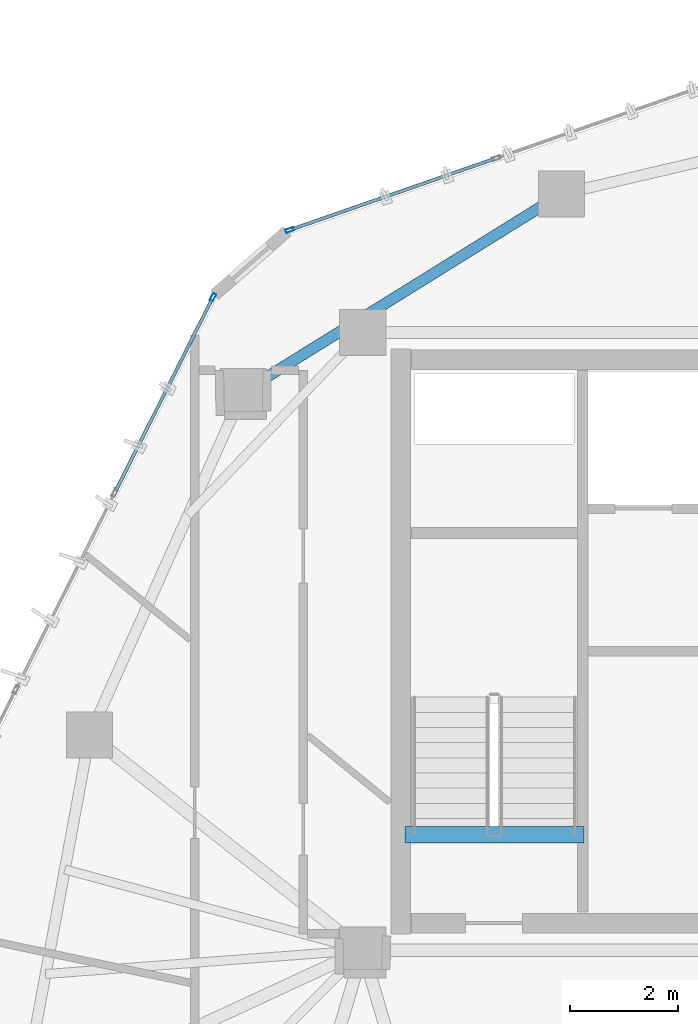
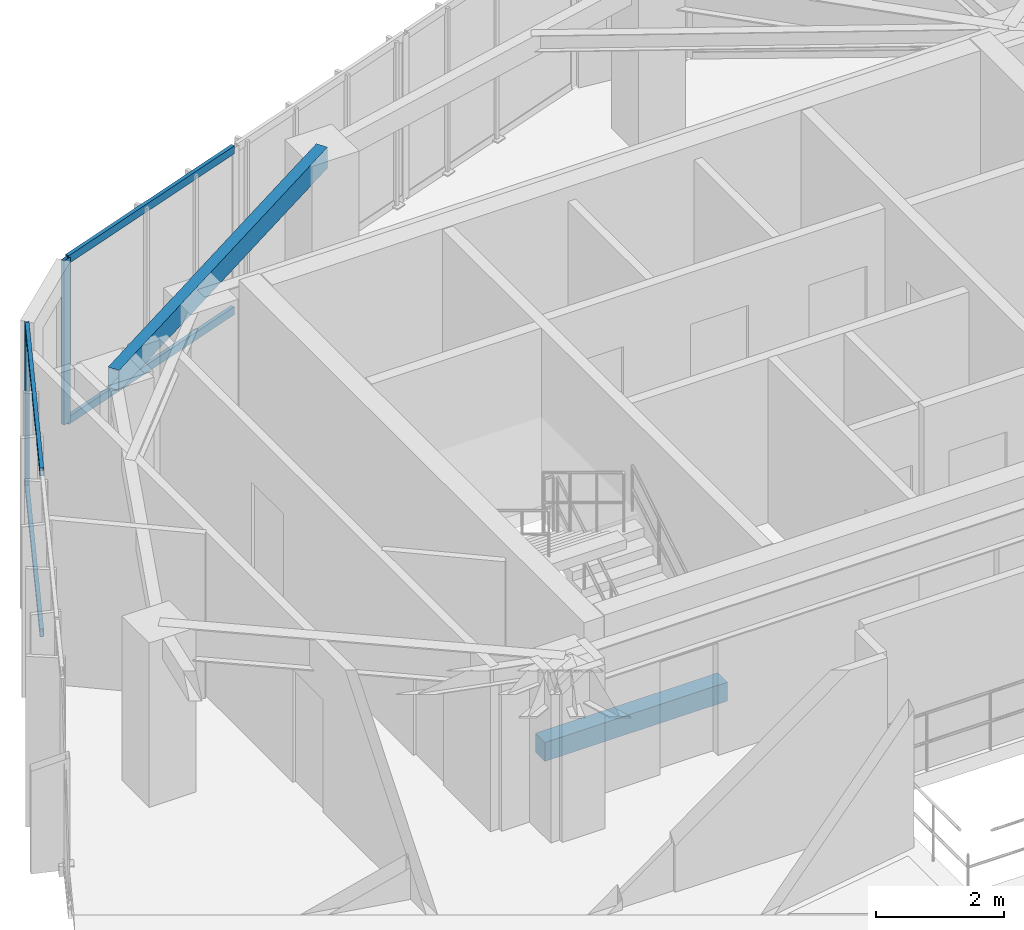
# One storey, part 9 of 20: 6 members, 2 beams, 2 elements without a shape of their own.
"""IFC4 building model written with IfcOpenShell, lengths in metres."""

from ifc_helpers import new_model, si_unit, direction, frame, origin, origin_2d, place, context, subcontext, project, spatial, rectangle, hollow_rectangle, extrude, source, transform, mapped, material, layer, layer_set, material_profile, profile_set, type_object, type_shapes, element, aggregate, save


model = new_model("IFC4")

# Units and contexts
model_context = context("Model", 3, precision=1e-05, world=origin(), true_north=direction((0.0, 1.0)))
body_context = subcontext(model_context, "Body", "Model", "MODEL_VIEW")
ifc_project = project(units=[si_unit("LENGTHUNIT", "METRE"), si_unit("AREAUNIT", "SQUARE_METRE"), si_unit("VOLUMEUNIT", "CUBIC_METRE"), si_unit("PLANEANGLEUNIT", "RADIAN"), si_unit("MASSUNIT", "GRAM", prefix="KILO")], contexts=[model_context])

# Site, building, storey
site_placement = place(None, origin())
site = spatial("IfcSite", under=ifc_project, at=site_placement, CompositionType="ELEMENT")
building_placement = place(site_placement, origin())
building = spatial("IfcBuilding", under=site, at=building_placement, Name="Talar Marvaseh", CompositionType="ELEMENT")
storey_placement = place(building_placement, frame((0.0, 0.0, 285.0)))
storey = spatial("IfcBuildingStorey", under=building, at=storey_placement, Name="L76", CompositionType="ELEMENT", Elevation=285.0)

# Beams
ifc_material_1 = material(Name="Concrete C40/50", Category="concrete")
ifc_material_profile_1 = material_profile(ifc_material_1, rectangle(XDim=0.300048828125, YDim=0.360107421875, at=origin_2d()), Name="RC300x360")
ifc_profile_set_1 = profile_set([ifc_material_profile_1], Name="Concrete C40/50")
beam_type_1 = type_object("IfcBeamType", Name="Concrete Stair Landing Trimmer Beam RC300x360", PredefinedType="SPANDREL", material=ifc_profile_set_1)
beam_1_placement = place(storey_placement, frame((22.780029296875, 27.6298828125, -0.179931640625), z_axis=(-1.0, 0.0, 0.0), x_axis=(0.0, -1.0, 0.0)))
element("IfcBeam", 1, at=beam_1_placement, inside=storey, type_object=beam_type_1, Name="L76 ST-1 Stair Nosing Trimmer Beam", PredefinedType="SPANDREL", context=body_context, shape_type="SweptSolid", body=[
    extrude(rectangle(XDim=0.300048828125, YDim=0.360107421875, at=origin_2d()), origin(), (0.0, 0.0, 1.0), 3.300048828125),
])
ifc_material_2 = material(Name="Steel S355", Category="steel")
ifc_material_profile_2 = material_profile(ifc_material_2, hollow_rectangle(XDim=0.199951171875, YDim=0.39990234375, WallThickness=0.013916015625, at=origin_2d()), Name="RHS400x200x14")
ifc_profile_set_2 = profile_set([ifc_material_profile_2], Name="Steel S355")
beam_type_2 = type_object("IfcBeamType", Name="Zone 3 Perimeter Spandrel Beam RHS400x200x14", PredefinedType="SPANDREL", material=ifc_profile_set_2)
beam_2_placement = place(storey_placement, frame((16.493896484375, 35.806884765625, 2.93994140625), z_axis=(0.849439811678, 0.527685518407, 0.0), x_axis=(-0.527685518407, 0.849439811678, 0.0)))
element("IfcBeam", 2, at=beam_2_placement, inside=storey, type_object=beam_type_2, Name="L76 Zone 3 Perimeter Spandrel Beam RHS400x200x14", PredefinedType="SPANDREL", context=body_context, shape_type="SweptSolid", body=[
    extrude(hollow_rectangle(XDim=0.199951171875, YDim=0.39990234375, WallThickness=0.013916015625, at=origin_2d()), origin(), (0.0, 0.0, 1.0), 6.91162109375),
])

# Curtain wall, member
ifc_material_3 = material(Name="Architectural Aluminium", Category="aluminium")
ifc_layer = layer(ifc_material_3, 0.179931640625)
ifc_layer_set = layer_set([ifc_layer], Name="Architectural Aluminium")
curtain_wall_type = type_object("IfcCurtainWallType", Name="Unitised High-Wind Sky Curtain Wall Z4", PredefinedType="NOTDEFINED", material=ifc_layer_set)
curtain_wall_1_placement = place(storey_placement, origin())
curtain_wall_1 = element("IfcCurtainWall", 3, at=curtain_wall_1_placement, inside=storey, type_object=curtain_wall_type, Name="L76 Unitised High-Wind Sky Curtain Wall Z4", PredefinedType="NOTDEFINED")
ifc_material_profile_3 = material_profile(ifc_material_3, hollow_rectangle(XDim=0.06494140625, YDim=0.14990234375, WallThickness=0.00390625, at=origin_2d()), Name="RHS150x65x4")
ifc_profile_set_3 = profile_set([ifc_material_profile_3], Name="Architectural Aluminium")
member_type_1 = type_object("IfcMemberType", Name="Unitised Curtain Wall Slim Mullion RHS150x65x4", PredefinedType="MULLION", material=ifc_profile_set_3)
shared_shape_1 = source(origin(), body_context, "Body", "SweptSolid", [
    extrude(hollow_rectangle(XDim=0.06494140625, YDim=0.14990234375, WallThickness=0.00390625, at=origin_2d()), origin(), (0.0, 0.0, 1.0), 3.139892578125),
])
type_shapes(member_type_1, [shared_shape_1])
member_1_placement = place(storey_placement, frame((15.934814453125, 37.546875, 0.0), z_axis=(0.0, 0.0, 1.0), x_axis=(-0.893514304781, 0.449034728226, 0.0)))
member_1 = element("IfcMember", 4, at=member_1_placement, type_object=member_type_1, Name="CW-Z4 mullion 4", PredefinedType="MULLION", context=body_context, shape_type="MappedRepresentation", body=[
    mapped(shared_shape_1, transform((0.0, 0.0, 0.0), x_axis=(1.0, 0.0, 0.0), y_axis=(0.0, 1.0, 0.0), z_axis=(0.0, 0.0, 1.0), scale=1.0)),
])

# Curtain wall, members
curtain_wall_2_placement = place(storey_placement, origin())
curtain_wall_2 = element("IfcCurtainWall", 5, at=curtain_wall_2_placement, inside=storey, type_object=curtain_wall_type, Name="L76 Unitised High-Wind Sky Curtain Wall Z4", PredefinedType="NOTDEFINED")
member_2_placement = place(storey_placement, frame((17.352783203125, 38.79052734375, 0.0), z_axis=(0.0, 0.0, 1.0), x_axis=(-0.328568606431, 0.944480106126, 0.0)))
member_2 = element("IfcMember", 6, at=member_2_placement, type_object=member_type_1, Name="CW-Z4 mullion 1", PredefinedType="MULLION", context=body_context, shape_type="MappedRepresentation", body=[
    mapped(shared_shape_1, transform((0.0, 0.0, 0.0), x_axis=(1.0, 0.0, 0.0), y_axis=(0.0, 1.0, 0.0), z_axis=(0.0, 0.0, 1.0), scale=1.0)),
])
ifc_material_profile_4 = material_profile(ifc_material_3, hollow_rectangle(XDim=0.06494140625, YDim=0.14990234375, WallThickness=0.00390625, at=origin_2d()), Name="RHS150x65x4")
ifc_profile_set_4 = profile_set([ifc_material_profile_4], Name="Architectural Aluminium")
member_type_2 = type_object("IfcMemberType", Name="Unitised Curtain Wall Slim Transom RHS150x65x4", PredefinedType="USERDEFINED", material=ifc_profile_set_4)
shared_shape_2 = source(origin(), body_context, "Body", "SweptSolid", [
    extrude(hollow_rectangle(XDim=0.06494140625, YDim=0.14990234375, WallThickness=0.00390625, at=origin_2d()), origin(), (0.0, 0.0, 1.0), 3.97119140625),
])
member_3_placement = place(storey_placement, frame((17.38330078125, 38.80126953125, 0.032470703125), z_axis=(0.944490161426, 0.328539700752, 0.0), x_axis=(-0.328539700752, 0.944490161426, 0.0)))
member_3 = element("IfcMember", 7, at=member_3_placement, type_object=member_type_2, Name="CW-Z4 transom 1.1", ObjectType="TRANSOM", PredefinedType="USERDEFINED", context=body_context, shape_type="MappedRepresentation", body=[
    mapped(shared_shape_2, transform((0.0, 0.0, 0.0), x_axis=(1.0, 0.0, 0.0), y_axis=(0.0, 1.0, 0.0), z_axis=(0.0, 0.0, 1.0), scale=1.0)),
])
member_4_placement = place(storey_placement, frame((17.38330078125, 38.80126953125, 3.107421875), z_axis=(0.944490161426, 0.328539700752, 0.0), x_axis=(-0.328539700752, 0.944490161426, 0.0)))
member_4 = element("IfcMember", 8, at=member_4_placement, type_object=member_type_2, Name="CW-Z4 transom 1.2", ObjectType="TRANSOM", PredefinedType="USERDEFINED", context=body_context, shape_type="MappedRepresentation", body=[
    mapped(shared_shape_2, transform((0.0, 0.0, 0.0), x_axis=(1.0, 0.0, 0.0), y_axis=(0.0, 1.0, 0.0), z_axis=(0.0, 0.0, 1.0), scale=1.0)),
])
aggregate(curtain_wall_2, [member_2, member_3, member_4])

# Member
shared_shape_3 = source(origin(), body_context, "Body", "SweptSolid", [
    extrude(hollow_rectangle(XDim=0.06494140625, YDim=0.14990234375, WallThickness=0.00390625, at=origin_2d()), origin(), (0.0, 0.0, 1.0), 3.970947265625),
])
type_shapes(member_type_2, [shared_shape_2, shared_shape_3])
member_5_placement = place(storey_placement, frame((14.136962890625, 33.9697265625, 0.032470703125), z_axis=(0.449057074017, 0.893503074575, 0.0), x_axis=(-0.893503074575, 0.449057074017, 0.0)))
member_5 = element("IfcMember", 9, at=member_5_placement, type_object=member_type_2, Name="CW-Z4 transom 3.1", ObjectType="TRANSOM", PredefinedType="USERDEFINED", context=body_context, shape_type="MappedRepresentation", body=[
    mapped(shared_shape_3, transform((0.0, 0.0, 0.0), x_axis=(1.0, 0.0, 0.0), y_axis=(0.0, 1.0, 0.0), z_axis=(0.0, 0.0, 1.0), scale=1.0)),
])

member_6_placement = place(storey_placement, frame((14.136962890625, 33.9697265625, 3.107421875), z_axis=(0.449057074017, 0.893503074575, 0.0), x_axis=(-0.893503074575, 0.449057074017, 0.0)))
member_6 = element("IfcMember", 10, at=member_6_placement, type_object=member_type_2, Name="CW-Z4 transom 3.2", ObjectType="TRANSOM", PredefinedType="USERDEFINED", context=body_context, shape_type="MappedRepresentation", body=[
    mapped(shared_shape_3, transform((0.0, 0.0, 0.0), x_axis=(1.0, 0.0, 0.0), y_axis=(0.0, 1.0, 0.0), z_axis=(0.0, 0.0, 1.0), scale=1.0)),
])

aggregate(curtain_wall_1, [member_1, member_5, member_6])

save(model, "model.ifc")
